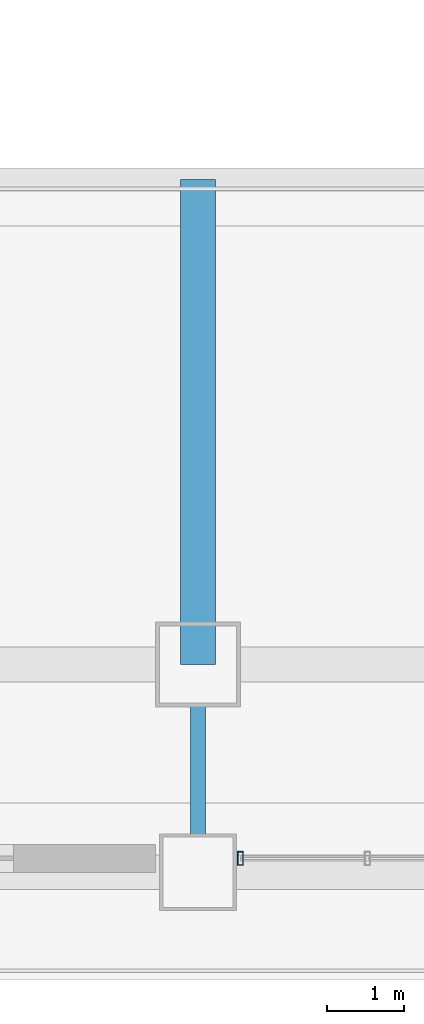
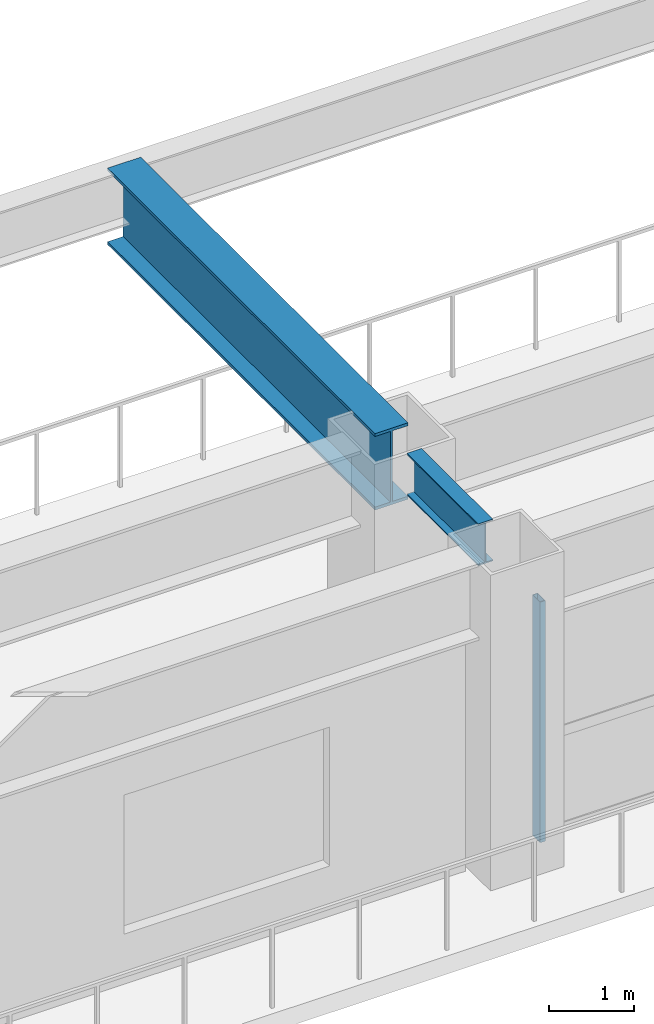
# One storey, part 2 of 14: 2 beams, 1 member, 1 element without a shape of its own.
"""IFC4 building model written with IfcOpenShell, lengths in metres."""

from ifc_helpers import new_model, si_unit, direction, frame, origin, origin_2d, place, context, subcontext, project, spatial, hollow_rectangle, i_section, extrude, source, transform, mapped, material, layer, layer_set, material_profile, profile_set, type_object, element, aggregate, save


model = new_model("IFC4")

# Units and contexts
model_context = context("Model", 3, precision=1e-05, world=origin(), true_north=direction((0.0, 1.0)))
body_context = subcontext(model_context, "Body", "Model", "MODEL_VIEW")
ifc_project = project(units=[si_unit("LENGTHUNIT", "METRE"), si_unit("AREAUNIT", "SQUARE_METRE"), si_unit("VOLUMEUNIT", "CUBIC_METRE"), si_unit("PLANEANGLEUNIT", "RADIAN"), si_unit("MASSUNIT", "GRAM", prefix="KILO")], contexts=[model_context])

# Site, building, storey
site_placement = place(None, origin())
site = spatial("IfcSite", under=ifc_project, at=site_placement, CompositionType="ELEMENT")
building_placement = place(site_placement, origin())
building = spatial("IfcBuilding", under=site, at=building_placement, Name="Giltprow Tower", CompositionType="ELEMENT")
storey_placement = place(building_placement, frame((0.0, 0.0, 5.60009765625)))
storey = spatial("IfcBuildingStorey", under=building, at=storey_placement, Name="L02", CompositionType="ELEMENT", Elevation=5.60009765625)

# Beams
ifc_material_1 = material(Name="Structural steel Q355B", Category="steel")
ifc_material_profile_1 = material_profile(ifc_material_1, i_section(OverallWidth=0.199951171875, OverallDepth=0.60009765625, WebThickness=0.010986328125, FlangeThickness=0.01708984375, at=origin_2d()), Name="HN 600x200x11x17")
ifc_profile_set_1 = profile_set([ifc_material_profile_1], Name="Structural steel Q355B")
beam_type_1 = type_object("IfcBeamType", Name="BM-GIRD-HN600", PredefinedType="BEAM", material=ifc_profile_set_1)
shared_shape_1 = source(origin(), body_context, "Body", "SweptSolid", [
    extrude(i_section(OverallWidth=0.199951171875, OverallDepth=0.60009765625, WebThickness=0.010986328125, FlangeThickness=0.01708984375, at=origin_2d()), origin(), (0.0, 0.0, 1.0), 1.679931640625),
])
beam_1_placement = place(storey_placement, frame((30.800048828125, 1.0849609375, 4.239990234375), z_axis=(0.0, 1.0, 0.0), x_axis=(-1.0, 0.0, 0.0)))
element("IfcBeam", 1, at=beam_1_placement, inside=storey, type_object=beam_type_1, Name="L02 South Perimeter Tie S2", PredefinedType="BEAM", context=body_context, shape_type="MappedRepresentation", body=[
    mapped(shared_shape_1, transform((0.0, 0.0, 0.0), x_axis=(1.0, 0.0, 0.0), y_axis=(0.0, 1.0, 0.0), z_axis=(0.0, 0.0, 1.0), scale=1.0)),
])
ifc_material_2 = material(Name="Structural steel Q420GJC", Category="steel")
ifc_material_profile_2 = material_profile(ifc_material_2, i_section(OverallWidth=0.449951171875, OverallDepth=1.10009765625, WebThickness=0.02587890625, FlangeThickness=0.0419921875, at=origin_2d()), Name="WH 1100x450x26x42")
ifc_profile_set_2 = profile_set([ifc_material_profile_2], Name="Structural steel Q420GJC")
beam_type_2 = type_object("IfcBeamType", Name="BM-GIRD-WH1100", PredefinedType="BEAM", material=ifc_profile_set_2)
shared_shape_2 = source(origin(), body_context, "Body", "SweptSolid", [
    extrude(i_section(OverallWidth=0.449951171875, OverallDepth=1.10009765625, WebThickness=0.02587890625, FlangeThickness=0.0419921875, at=origin_2d()), origin(), (0.0, 0.0, 1.0), 6.300048828125),
])
beam_2_placement = place(storey_placement, frame((30.800048828125, 3.300048828125, 3.989990234375), z_axis=(0.0, 1.0, 0.0), x_axis=(-1.0, 0.0, 0.0)))
element("IfcBeam", 2, at=beam_2_placement, inside=storey, type_object=beam_type_2, Name="L02 Atrium South Girder S2", PredefinedType="BEAM", context=body_context, shape_type="MappedRepresentation", body=[
    mapped(shared_shape_2, transform((0.0, 0.0, 0.0), x_axis=(1.0, 0.0, 0.0), y_axis=(0.0, 1.0, 0.0), z_axis=(0.0, 0.0, 1.0), scale=1.0)),
])

# Curtain wall, member
ifc_material_3 = material(Name="Anodized bronze", Category="metal")
ifc_layer = layer(ifc_material_3, 0.179931640625, Name="Anodized bronze")
ifc_layer_set = layer_set([ifc_layer], Name="Anodized bronze")
curtain_wall_type = type_object("IfcCurtainWallType", Name="CW-POD-STOREFRONT", PredefinedType="NOTDEFINED", material=ifc_layer_set)
curtain_wall_placement = place(storey_placement, origin())
curtain_wall = element("IfcCurtainWall", 3, at=curtain_wall_placement, inside=storey, type_object=curtain_wall_type, Name="L02 South Waterfront Storefront 3", PredefinedType="NOTDEFINED")
ifc_material_profile_3 = material_profile(ifc_material_3, hollow_rectangle(XDim=0.074951171875, YDim=0.179931640625, WallThickness=0.008056640625, at=origin_2d()), Name="RHS 180x75x8")
ifc_profile_set_3 = profile_set([ifc_material_profile_3], Name="Anodized bronze")
member_type = type_object("IfcMemberType", Name="CW-MULLION-180x75", PredefinedType="MULLION", material=ifc_profile_set_3)
shared_shape_3 = source(origin(), body_context, "Body", "SweptSolid", [
    extrude(hollow_rectangle(XDim=0.074951171875, YDim=0.179931640625, WallThickness=0.008056640625, at=origin_2d()), origin(), (0.0, 0.0, 1.0), 3.4599609375),
])
member_placement = place(storey_placement, frame((31.35009765625, 0.780029296875, -0.02001953125), z_axis=(0.0, 0.0, 1.0), x_axis=(1.0, 0.0, 0.0)))
member = element("IfcMember", 4, at=member_placement, type_object=member_type, Name="L02 South Waterfront Storefront 3 Mullion 1", PredefinedType="MULLION", context=body_context, shape_type="MappedRepresentation", body=[
    mapped(shared_shape_3, transform((0.0, 0.0, 0.0), x_axis=(1.0, 0.0, 0.0), y_axis=(0.0, 1.0, 0.0), z_axis=(0.0, 0.0, 1.0), scale=1.0)),
])
aggregate(curtain_wall, [member])

save(model, "model.ifc")
